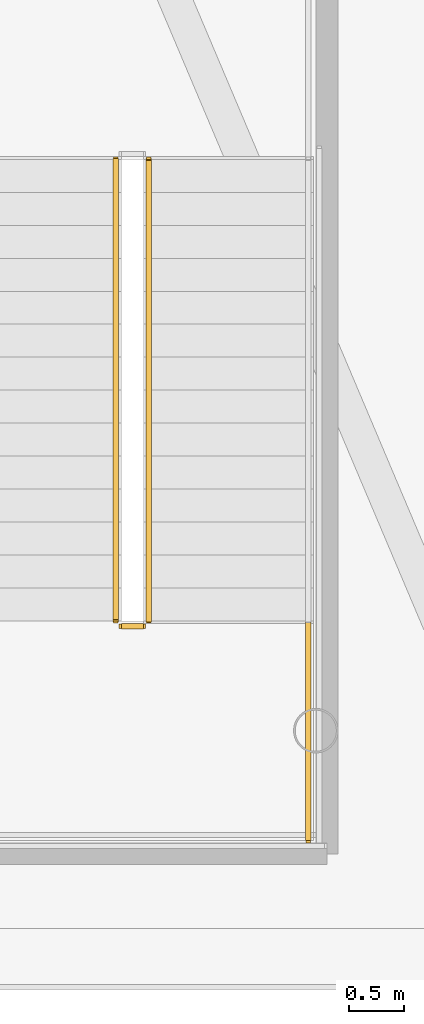
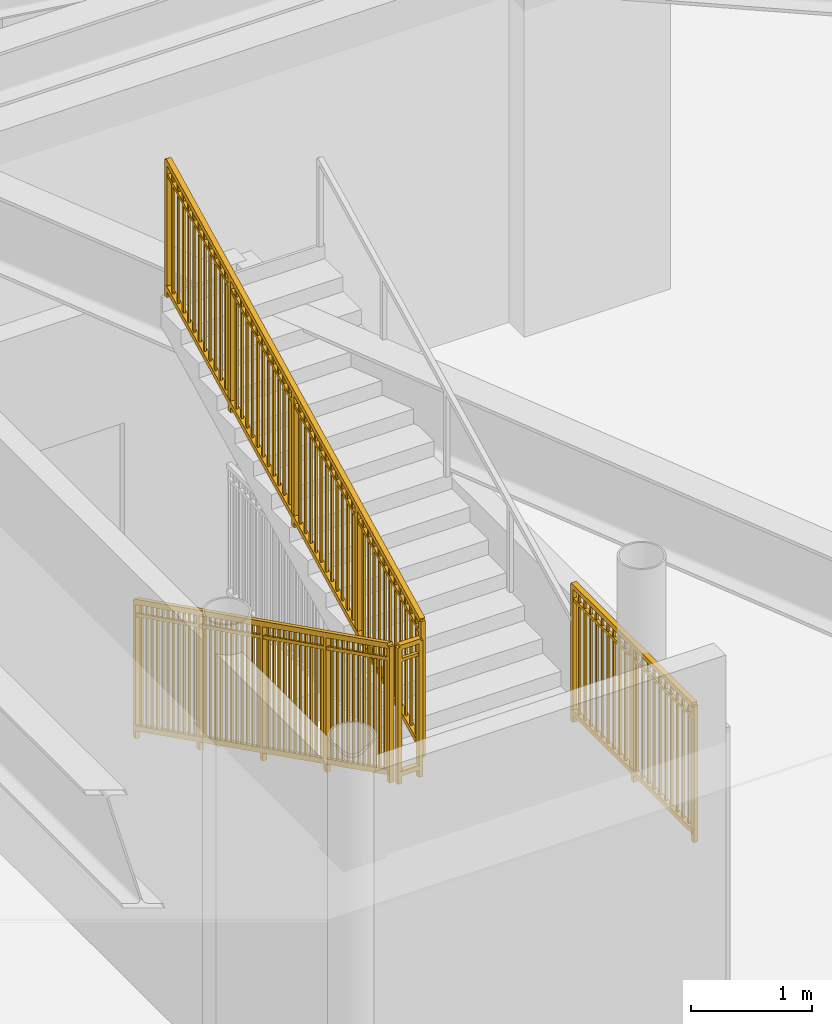
# One storey, part 14 of 21: 4 railings.
"""IFC4 building model written with IfcOpenShell, lengths in metres."""

import ifcopenshell
import ifcopenshell.guid

model = None  # the IFC model being written
_history = None  # IfcOwnerHistory: only IFC2X3 demands one
_inside = {}  # id of a spatial element -> (the spatial element, [elements in it])
_under = {}  # id of a project, library or spatial element -> (it, [spatial elements below it])
_declared = {}  # id of a project -> (the project, [libraries it declares])
_typed = {}  # id of a type object -> (the type object, [elements of that type])
_made_of = {}  # id of a material, layer set ... -> (it, [elements and type objects made of it])


def new_model(schema):
    """Start an empty IFC model of exactly this schema.

    Asked for "IFC4X3", IfcOpenShell would pick the latest addendum, in which some entities
    have other attributes; the version numbers below select the first issue.
    IFC2X3 requires an IfcOwnerHistory on every rooted entity: one is made here for all.
    """
    global model, _history
    if schema == "IFC4X3":
        model = ifcopenshell.file(schema_version=(4, 3, 0, 0))
    else:
        model = ifcopenshell.file(schema=schema)
    _inside.clear()
    _under.clear()
    _declared.clear()
    _typed.clear()
    _made_of.clear()
    _history = None
    if model.schema == "IFC2X3":
        org = make("IfcOrganization", Name="unknown")
        user = make(
            "IfcPersonAndOrganization",
            ThePerson=make("IfcPerson", FamilyName="unknown"),
            TheOrganization=org,
        )
        app = make(
            "IfcApplication",
            ApplicationDeveloper=org,
            Version="unknown",
            ApplicationFullName="unknown",
            ApplicationIdentifier="unknown",
        )
        _history = make(
            "IfcOwnerHistory",
            OwningUser=user,
            OwningApplication=app,
            ChangeAction="ADDED",
            CreationDate=0,
        )
    return model


def make(cls, **values):
    """One entity of the class cls with the attributes given. An attribute that is None is left unset."""
    return model.create_entity(
        cls, **{name: value for name, value in values.items() if value is not None}
    )


def rooted(cls, **values):
    """An entity with a GlobalId (a new one), such as an element, a storey or a relation."""
    return make(cls, GlobalId=ifcopenshell.guid.new(), OwnerHistory=_history, **values)


def si_unit(unit_type, name, prefix=None):
    """IfcSIUnit, for example si_unit("LENGTHUNIT", "METRE", prefix="MILLI")."""
    return make("IfcSIUnit", UnitType=unit_type, Prefix=prefix, Name=name)


def assignment(units):
    """IfcUnitAssignment: the units of a project."""
    return None if units is None else make("IfcUnitAssignment", Units=units)


def point(xyz):
    """IfcCartesianPoint."""
    return None if xyz is None else make("IfcCartesianPoint", Coordinates=xyz)


def direction(xyz):
    """IfcDirection."""
    return None if xyz is None else make("IfcDirection", DirectionRatios=xyz)


def frame(location, z_axis=None, x_axis=None):
    """IfcAxis2Placement3D, a coordinate frame: its origin and axes. An axis left out is left unset."""
    return make(
        "IfcAxis2Placement3D",
        Location=point(location),
        Axis=direction(z_axis),
        RefDirection=direction(x_axis),
    )


def frame_2d(location, x_axis=None):
    """IfcAxis2Placement2D, a coordinate frame in the plane: its origin and x axis."""
    return make(
        "IfcAxis2Placement2D", Location=point(location), RefDirection=direction(x_axis)
    )


def origin():
    """The frame at (0, 0, 0) with its axes left unset."""
    return frame((0.0, 0.0, 0.0))


def origin_2d():
    """The frame at (0, 0) in the plane with its x axis left unset."""
    return frame_2d((0.0, 0.0))


def place(relative_to, where):
    """IfcLocalPlacement: puts the frame where relative to a parent placement (None: the world)."""
    return make(
        "IfcLocalPlacement", PlacementRelTo=relative_to, RelativePlacement=where
    )


def context(
    kind, dimensions, precision=None, world=None, true_north=None, identifier=None
):
    """IfcGeometricRepresentationContext, for example the 3D "Model" context."""
    return make(
        "IfcGeometricRepresentationContext",
        ContextIdentifier=identifier,
        ContextType=kind,
        CoordinateSpaceDimension=dimensions,
        Precision=precision,
        WorldCoordinateSystem=world,
        TrueNorth=true_north,
    )


def subcontext(parent, identifier, kind, view, scale=None):
    """IfcGeometricRepresentationSubContext, for example "Body" below "Model"."""
    return make(
        "IfcGeometricRepresentationSubContext",
        ContextIdentifier=identifier,
        ContextType=kind,
        ParentContext=parent,
        TargetScale=scale,
        TargetView=view,
    )


def project(units=None, contexts=None):
    """IfcProject with its units and contexts."""
    return rooted(
        "IfcProject",
        Name="project",
        RepresentationContexts=contexts,
        UnitsInContext=assignment(units),
    )


def spatial(cls, under=None, at=None, **own):
    """A site, building, storey or space (cls), placed at a placement, below another one or the project."""
    s = rooted(cls, ObjectPlacement=at, **own)
    if under is not None:
        _under.setdefault(under.id(), (under, []))[1].append(s)
    return s


def profile(cls, at=None, kind="AREA", **sizes):
    """A parametric profile (cls). Its sizes go by their IFC names, for example OverallWidth=200.0."""
    return make(cls, ProfileType=kind, Position=at, **sizes)


def rectangle(**sizes):
    """IfcRectangleProfileDef."""
    return profile("IfcRectangleProfileDef", **sizes)


def extrude(swept, where, along, depth):
    """IfcExtrudedAreaSolid: the profile swept, set in the frame where, extruded along a direction by depth."""
    return make(
        "IfcExtrudedAreaSolid",
        SweptArea=swept,
        Position=where,
        ExtrudedDirection=direction(along),
        Depth=depth,
    )


def shape(context_of_items, identifier, shape_type, items):
    """IfcShapeRepresentation: the items that make up one representation, for example the "Body"."""
    return make(
        "IfcShapeRepresentation",
        ContextOfItems=context_of_items,
        RepresentationIdentifier=identifier,
        RepresentationType=shape_type,
        Items=items,
    )


def source(mapping_origin, context_of_items, identifier, shape_type, items):
    """IfcRepresentationMap: a shape defined once, which mapped items show again and again."""
    return make(
        "IfcRepresentationMap",
        MappingOrigin=mapping_origin,
        MappedRepresentation=shape(context_of_items, identifier, shape_type, items),
    )


def transform(
    local_origin,
    x_axis=None,
    y_axis=None,
    z_axis=None,
    scale=None,
    scale2=None,
    scale3=None,
    uniform=True,
):
    """IfcCartesianTransformationOperator3D, or its non-uniform kind. x_axis, y_axis, z_axis: its Axis1, 2, 3."""
    if uniform:
        return make(
            "IfcCartesianTransformationOperator3D",
            Axis1=direction(x_axis),
            Axis2=direction(y_axis),
            LocalOrigin=point(local_origin),
            Scale=scale,
            Axis3=direction(z_axis),
        )
    return make(
        "IfcCartesianTransformationOperator3DnonUniform",
        Axis1=direction(x_axis),
        Axis2=direction(y_axis),
        LocalOrigin=point(local_origin),
        Scale=scale,
        Axis3=direction(z_axis),
        Scale2=scale2,
        Scale3=scale3,
    )


def mapped(mapping_source, mapping_target):
    """IfcMappedItem: shows the shape of a source again, moved by a transform."""
    return make(
        "IfcMappedItem", MappingSource=mapping_source, MappingTarget=mapping_target
    )


def material(Name=None, Category=None):
    """IfcMaterial."""
    return make("IfcMaterial", Name=Name, Category=Category)


def made_of(thing, what):
    """Note that an element or type object is made of a material, layer set ...; save() writes the relation."""
    if what is not None:
        _made_of.setdefault(what.id(), (what, []))[1].append(thing)
    return thing


def type_object(cls, material=None, **own):
    """A type object (cls), such as IfcWallType, which elements share."""
    return made_of(rooted(cls, **own), material)


def element(
    cls,
    number,
    at=None,
    inside=None,
    cuts=None,
    type_object=None,
    material=None,
    context=None,
    identifier="Body",
    shape_type=None,
    held_by="IfcProductDefinitionShape",
    body=None,
    shapes=None,
    **own,
):
    """One element of the class cls, such as IfcWall. Its Tag is "e" and its number.

    at: its placement. inside: the storey or other place that contains it. cuts: it is an
    opening in that element (IfcRelVoidsElement). A single representation is given by context,
    identifier, shape_type and body (its items); several are given by shapes. held_by: the class
    of the entity that holds the representations. save() writes the other relations.
    """
    e = rooted(cls, Tag="e%d" % number, ObjectPlacement=at, **own)
    if body is not None:
        shapes = [shape(context, identifier, shape_type, body)]
    if shapes is not None:
        e.Representation = make(held_by, Representations=shapes)
    if inside is not None:
        _inside.setdefault(inside.id(), (inside, []))[1].append(e)
    if cuts is not None:
        rooted(
            "IfcRelVoidsElement", RelatingBuildingElement=cuts, RelatedOpeningElement=e
        )
    if type_object is not None:
        _typed.setdefault(type_object.id(), (type_object, []))[1].append(e)
    return made_of(e, material)


def aggregate(whole, parts):
    """IfcRelAggregates: a whole, such as a stair, and the parts it consists of."""
    return rooted("IfcRelAggregates", RelatingObject=whole, RelatedObjects=parts)


def save(model, path):
    """Write the relations noted so far, then the file.

    IfcRelAggregates (storeys below a building ...), IfcRelContainedInSpatialStructure (elements
    in a storey), IfcRelDefinesByType, IfcRelAssociatesMaterial and IfcRelDeclares: one each for
    every whole, place, type object, material and project.
    """
    for whole, parts in _under.values():
        aggregate(whole, parts)
    for where, things in _inside.values():
        rooted(
            "IfcRelContainedInSpatialStructure",
            RelatedElements=things,
            RelatingStructure=where,
        )
    for kind, things in _typed.values():
        rooted("IfcRelDefinesByType", RelatedObjects=things, RelatingType=kind)
    for what, things in _made_of.values():
        rooted("IfcRelAssociatesMaterial", RelatedObjects=things, RelatingMaterial=what)
    for by, libraries in _declared.values():
        rooted("IfcRelDeclares", RelatingContext=by, RelatedDefinitions=libraries)
    model.write(path)


model = new_model("IFC4")

# Units and contexts
model_context = context("Model", 3, precision=1e-05, world=origin(), true_north=direction((0.0, 1.0)))
body_context = subcontext(model_context, "Body", "Model", "MODEL_VIEW")
ifc_project = project(units=[si_unit("LENGTHUNIT", "METRE"), si_unit("AREAUNIT", "SQUARE_METRE"), si_unit("VOLUMEUNIT", "CUBIC_METRE"), si_unit("PLANEANGLEUNIT", "RADIAN"), si_unit("MASSUNIT", "GRAM", prefix="KILO")], contexts=[model_context])

# Site, building, storey
site_placement = place(None, origin())
site = spatial("IfcSite", under=ifc_project, at=site_placement, CompositionType="ELEMENT")
building_placement = place(site_placement, origin())
building = spatial("IfcBuilding", under=site, at=building_placement, Name="Linh Dai School and Residence Tower", CompositionType="ELEMENT")
storey_placement = place(building_placement, frame((0.0, 0.0, -4.5)))
storey = spatial("IfcBuildingStorey", under=building, at=storey_placement, Name="B01", CompositionType="ELEMENT", Elevation=-4.5)

# Railings
ifc_material = material(Name="Structural Steel S355JR", Category="steel")
railing_type = type_object("IfcRailingType", Name="RL-ST-GUARD-1400", PredefinedType="GUARDRAIL", material=ifc_material)
shared_shape_1 = source(origin(), body_context, "Body", "SweptSolid", [
    extrude(rectangle(XDim=0.048095703125, YDim=0.048095703125, at=origin_2d()), frame((0.0, 0.0, 1.3759765625), z_axis=(0.0, 0.894416792377, 0.447234392142), x_axis=(-1.0, 0.0, 0.0)), (0.0, 0.0, 1.0), 4.69580078125),
    extrude(rectangle(XDim=0.048095703125, YDim=0.048095703125, at=origin_2d()), frame((0.0, 0.0, 0.10009765625), z_axis=(0.0, 0.894416792377, 0.447234392142), x_axis=(-1.0, 0.0, 0.0)), (0.0, 0.0, 1.0), 4.69580078125),
    extrude(rectangle(XDim=0.030029296875, YDim=0.030029296875, at=origin_2d()), frame((0.0, 0.0, 1.239990234375), z_axis=(0.0, 0.894416792377, 0.447234392142), x_axis=(-1.0, 0.0, 0.0)), (0.0, 0.0, 1.0), 4.69580078125),
    extrude(rectangle(XDim=0.02001953125, YDim=0.02001953125, at=origin_2d()), frame((0.0, 0.08740234375, 0.143798828125)), (0.0, 0.0, 1.0), 1.251708984375),
    extrude(rectangle(XDim=0.02001953125, YDim=0.02001953125, at=origin_2d()), frame((0.0, 0.175048828125, 0.1875)), (0.0, 0.0, 1.0), 1.251708984375),
    extrude(rectangle(XDim=0.02001953125, YDim=0.02001953125, at=origin_2d()), frame((0.0, 0.262451171875, 0.2314453125)), (0.0, 0.0, 1.0), 1.251708984375),
    extrude(rectangle(XDim=0.02001953125, YDim=0.02001953125, at=origin_2d()), frame((0.0, 0.35009765625, 0.275146484375)), (0.0, 0.0, 1.0), 1.251708984375),
    extrude(rectangle(XDim=0.02001953125, YDim=0.02001953125, at=origin_2d()), frame((0.0, 0.4375, 0.31884765625)), (0.0, 0.0, 1.0), 1.251708984375),
    extrude(rectangle(XDim=0.02001953125, YDim=0.02001953125, at=origin_2d()), frame((0.0, 0.52490234375, 0.362548828125)), (0.0, 0.0, 1.0), 1.251708984375),
    extrude(rectangle(XDim=0.02001953125, YDim=0.02001953125, at=origin_2d()), frame((0.0, 0.612548828125, 0.40625)), (0.0, 0.0, 1.0), 1.251708984375),
    extrude(rectangle(XDim=0.02001953125, YDim=0.02001953125, at=origin_2d()), frame((0.0, 0.699951171875, 0.4501953125)), (0.0, 0.0, 1.0), 1.251708984375),
    extrude(rectangle(XDim=0.02001953125, YDim=0.02001953125, at=origin_2d()), frame((0.0, 0.78759765625, 0.493896484375)), (0.0, 0.0, 1.0), 1.251708984375),
    extrude(rectangle(XDim=0.02001953125, YDim=0.02001953125, at=origin_2d()), frame((0.0, 0.875, 0.53759765625)), (0.0, 0.0, 1.0), 1.251708984375),
    extrude(rectangle(XDim=0.02001953125, YDim=0.02001953125, at=origin_2d()), frame((0.0, 0.96240234375, 0.581298828125)), (0.0, 0.0, 1.0), 1.251708984375),
    extrude(rectangle(XDim=0.02001953125, YDim=0.02001953125, at=origin_2d()), frame((0.0, 1.137451171875, 0.6689453125)), (0.0, 0.0, 1.0), 1.251708984375),
    extrude(rectangle(XDim=0.02001953125, YDim=0.02001953125, at=origin_2d()), frame((0.0, 1.22509765625, 0.712646484375)), (0.0, 0.0, 1.0), 1.251708984375),
    extrude(rectangle(XDim=0.02001953125, YDim=0.02001953125, at=origin_2d()), frame((0.0, 1.3125, 0.75634765625)), (0.0, 0.0, 1.0), 1.251708984375),
    extrude(rectangle(XDim=0.02001953125, YDim=0.02001953125, at=origin_2d()), frame((0.0, 1.39990234375, 0.800048828125)), (0.0, 0.0, 1.0), 1.251708984375),
    extrude(rectangle(XDim=0.02001953125, YDim=0.02001953125, at=origin_2d()), frame((0.0, 1.487548828125, 0.843994140625)), (0.0, 0.0, 1.0), 1.251708984375),
    extrude(rectangle(XDim=0.02001953125, YDim=0.02001953125, at=origin_2d()), frame((0.0, 1.574951171875, 0.8876953125)), (0.0, 0.0, 1.0), 1.251708984375),
    extrude(rectangle(XDim=0.02001953125, YDim=0.02001953125, at=origin_2d()), frame((0.0, 1.66259765625, 0.931396484375)), (0.0, 0.0, 1.0), 1.251708984375),
    extrude(rectangle(XDim=0.02001953125, YDim=0.02001953125, at=origin_2d()), frame((0.0, 1.75, 0.97509765625)), (0.0, 0.0, 1.0), 1.251708984375),
    extrude(rectangle(XDim=0.02001953125, YDim=0.02001953125, at=origin_2d()), frame((0.0, 1.83740234375, 1.018798828125)), (0.0, 0.0, 1.0), 1.251708984375),
    extrude(rectangle(XDim=0.02001953125, YDim=0.02001953125, at=origin_2d()), frame((0.0, 1.925048828125, 1.062744140625)), (0.0, 0.0, 1.0), 1.251708984375),
    extrude(rectangle(XDim=0.02001953125, YDim=0.02001953125, at=origin_2d()), frame((0.0, 2.012451171875, 1.1064453125)), (0.0, 0.0, 1.0), 1.251708984375),
    extrude(rectangle(XDim=0.02001953125, YDim=0.02001953125, at=origin_2d()), frame((0.0, 2.1875, 1.19384765625)), (0.0, 0.0, 1.0), 1.251708984375),
    extrude(rectangle(XDim=0.02001953125, YDim=0.02001953125, at=origin_2d()), frame((0.0, 2.27490234375, 1.237548828125)), (0.0, 0.0, 1.0), 1.251708984375),
    extrude(rectangle(XDim=0.02001953125, YDim=0.02001953125, at=origin_2d()), frame((0.0, 2.362548828125, 1.281494140625)), (0.0, 0.0, 1.0), 1.251708984375),
    extrude(rectangle(XDim=0.02001953125, YDim=0.02001953125, at=origin_2d()), frame((0.0, 2.449951171875, 1.3251953125)), (0.0, 0.0, 1.0), 1.251708984375),
    extrude(rectangle(XDim=0.02001953125, YDim=0.02001953125, at=origin_2d()), frame((0.0, 2.537353515625, 1.368896484375)), (0.0, 0.0, 1.0), 1.251708984375),
    extrude(rectangle(XDim=0.02001953125, YDim=0.02001953125, at=origin_2d()), frame((0.0, 2.625, 1.41259765625)), (0.0, 0.0, 1.0), 1.251708984375),
    extrude(rectangle(XDim=0.02001953125, YDim=0.02001953125, at=origin_2d()), frame((0.0, 2.71240234375, 1.456298828125)), (0.0, 0.0, 1.0), 1.251708984375),
    extrude(rectangle(XDim=0.02001953125, YDim=0.02001953125, at=origin_2d()), frame((0.0, 2.800048828125, 1.500244140625)), (0.0, 0.0, 1.0), 1.251708984375),
    extrude(rectangle(XDim=0.02001953125, YDim=0.02001953125, at=origin_2d()), frame((0.0, 2.887451171875, 1.5439453125)), (0.0, 0.0, 1.0), 1.251708984375),
    extrude(rectangle(XDim=0.02001953125, YDim=0.02001953125, at=origin_2d()), frame((0.0, 2.974853515625, 1.587646484375)), (0.0, 0.0, 1.0), 1.251708984375),
    extrude(rectangle(XDim=0.02001953125, YDim=0.02001953125, at=origin_2d()), frame((0.0, 3.0625, 1.63134765625)), (0.0, 0.0, 1.0), 1.251708984375),
    extrude(rectangle(XDim=0.02001953125, YDim=0.02001953125, at=origin_2d()), frame((0.0, 3.237548828125, 1.718994140625)), (0.0, 0.0, 1.0), 1.251708984375),
    extrude(rectangle(XDim=0.02001953125, YDim=0.02001953125, at=origin_2d()), frame((0.0, 3.324951171875, 1.7626953125)), (0.0, 0.0, 1.0), 1.251708984375),
    extrude(rectangle(XDim=0.02001953125, YDim=0.02001953125, at=origin_2d()), frame((0.0, 3.412353515625, 1.806396484375)), (0.0, 0.0, 1.0), 1.251708984375),
    extrude(rectangle(XDim=0.02001953125, YDim=0.02001953125, at=origin_2d()), frame((0.0, 3.5, 1.85009765625)), (0.0, 0.0, 1.0), 1.251708984375),
    extrude(rectangle(XDim=0.02001953125, YDim=0.02001953125, at=origin_2d()), frame((0.0, 3.58740234375, 1.89404296875)), (0.0, 0.0, 1.0), 1.251708984375),
    extrude(rectangle(XDim=0.02001953125, YDim=0.02001953125, at=origin_2d()), frame((0.0, 3.675048828125, 1.937744140625)), (0.0, 0.0, 1.0), 1.251708984375),
    extrude(rectangle(XDim=0.02001953125, YDim=0.02001953125, at=origin_2d()), frame((0.0, 3.762451171875, 1.9814453125)), (0.0, 0.0, 1.0), 1.251708984375),
    extrude(rectangle(XDim=0.02001953125, YDim=0.02001953125, at=origin_2d()), frame((0.0, 3.849853515625, 2.025146484375)), (0.0, 0.0, 1.0), 1.251708984375),
    extrude(rectangle(XDim=0.02001953125, YDim=0.02001953125, at=origin_2d()), frame((0.0, 3.9375, 2.06884765625)), (0.0, 0.0, 1.0), 1.251708984375),
    extrude(rectangle(XDim=0.02001953125, YDim=0.02001953125, at=origin_2d()), frame((0.0, 4.02490234375, 2.11279296875)), (0.0, 0.0, 1.0), 1.251708984375),
    extrude(rectangle(XDim=0.02001953125, YDim=0.02001953125, at=origin_2d()), frame((0.0, 4.112548828125, 2.156494140625)), (0.0, 0.0, 1.0), 1.251708984375),
    extrude(rectangle(XDim=0.0419921875, YDim=0.0419921875, at=origin_2d()), origin(), (0.0, 0.0, 1.0), 1.3759765625),
    extrude(rectangle(XDim=0.0419921875, YDim=0.0419921875, at=origin_2d()), frame((0.0, 1.050048828125, 0.52490234375)), (0.0, 0.0, 1.0), 1.3759765625),
    extrude(rectangle(XDim=0.0419921875, YDim=0.0419921875, at=origin_2d()), frame((0.0, 2.10009765625, 1.050048828125)), (0.0, 0.0, 1.0), 1.3759765625),
    extrude(rectangle(XDim=0.0419921875, YDim=0.0419921875, at=origin_2d()), frame((0.0, 3.14990234375, 1.5751953125)), (0.0, 0.0, 1.0), 1.3759765625),
    extrude(rectangle(XDim=0.0419921875, YDim=0.0419921875, at=origin_2d()), frame((0.0, 4.199951171875, 2.10009765625)), (0.0, 0.0, 1.0), 1.3759765625),
])
railing_1_placement = place(storey_placement, frame((39.800048828125, 11.800048828125, 2.39990234375)))
element("IfcRailing", 1, at=railing_1_placement, inside=storey, type_object=railing_type, Name="B01 STB1 stair guard 6", PredefinedType="GUARDRAIL", context=body_context, shape_type="MappedRepresentation", body=[
    mapped(shared_shape_1, transform((0.0, 0.0, 0.0), x_axis=(1.0, 0.0, 0.0), y_axis=(0.0, 1.0, 0.0), z_axis=(0.0, 0.0, 1.0), scale=1.0)),
])
shared_shape_2 = source(origin(), body_context, "Body", "SweptSolid", [
    extrude(rectangle(XDim=0.048095703125, YDim=0.048095703125, at=origin_2d()), frame((0.0, 0.0, 1.3759765625), z_axis=(0.0, -0.894416792377, 0.447234392142), x_axis=(1.0, 0.0, 0.0)), (0.0, 0.0, 1.0), 4.69580078125),
    extrude(rectangle(XDim=0.048095703125, YDim=0.048095703125, at=origin_2d()), frame((0.0, 0.0, 0.10009765625), z_axis=(0.0, -0.894416792377, 0.447234392142), x_axis=(1.0, 0.0, 0.0)), (0.0, 0.0, 1.0), 4.69580078125),
    extrude(rectangle(XDim=0.030029296875, YDim=0.030029296875, at=origin_2d()), frame((0.0, 0.0, 1.239990234375), z_axis=(0.0, -0.894416792377, 0.447234392142), x_axis=(1.0, 0.0, 0.0)), (0.0, 0.0, 1.0), 4.69580078125),
    extrude(rectangle(XDim=0.02001953125, YDim=0.02001953125, at=origin_2d()), frame((0.0, -0.08740234375, 0.143798828125)), (0.0, 0.0, 1.0), 1.251708984375),
    extrude(rectangle(XDim=0.02001953125, YDim=0.02001953125, at=origin_2d()), frame((0.0, -0.175048828125, 0.1875)), (0.0, 0.0, 1.0), 1.251708984375),
    extrude(rectangle(XDim=0.02001953125, YDim=0.02001953125, at=origin_2d()), frame((0.0, -0.262451171875, 0.2314453125)), (0.0, 0.0, 1.0), 1.251708984375),
    extrude(rectangle(XDim=0.02001953125, YDim=0.02001953125, at=origin_2d()), frame((0.0, -0.35009765625, 0.275146484375)), (0.0, 0.0, 1.0), 1.251708984375),
    extrude(rectangle(XDim=0.02001953125, YDim=0.02001953125, at=origin_2d()), frame((0.0, -0.4375, 0.31884765625)), (0.0, 0.0, 1.0), 1.251708984375),
    extrude(rectangle(XDim=0.02001953125, YDim=0.02001953125, at=origin_2d()), frame((0.0, -0.52490234375, 0.362548828125)), (0.0, 0.0, 1.0), 1.251708984375),
    extrude(rectangle(XDim=0.02001953125, YDim=0.02001953125, at=origin_2d()), frame((0.0, -0.612548828125, 0.40625)), (0.0, 0.0, 1.0), 1.251708984375),
    extrude(rectangle(XDim=0.02001953125, YDim=0.02001953125, at=origin_2d()), frame((0.0, -0.699951171875, 0.4501953125)), (0.0, 0.0, 1.0), 1.251708984375),
    extrude(rectangle(XDim=0.02001953125, YDim=0.02001953125, at=origin_2d()), frame((0.0, -0.78759765625, 0.493896484375)), (0.0, 0.0, 1.0), 1.251708984375),
    extrude(rectangle(XDim=0.02001953125, YDim=0.02001953125, at=origin_2d()), frame((0.0, -0.875, 0.53759765625)), (0.0, 0.0, 1.0), 1.251708984375),
    extrude(rectangle(XDim=0.02001953125, YDim=0.02001953125, at=origin_2d()), frame((0.0, -0.96240234375, 0.581298828125)), (0.0, 0.0, 1.0), 1.251708984375),
    extrude(rectangle(XDim=0.02001953125, YDim=0.02001953125, at=origin_2d()), frame((0.0, -1.137451171875, 0.6689453125)), (0.0, 0.0, 1.0), 1.251708984375),
    extrude(rectangle(XDim=0.02001953125, YDim=0.02001953125, at=origin_2d()), frame((0.0, -1.22509765625, 0.712646484375)), (0.0, 0.0, 1.0), 1.251708984375),
    extrude(rectangle(XDim=0.02001953125, YDim=0.02001953125, at=origin_2d()), frame((0.0, -1.3125, 0.75634765625)), (0.0, 0.0, 1.0), 1.251708984375),
    extrude(rectangle(XDim=0.02001953125, YDim=0.02001953125, at=origin_2d()), frame((0.0, -1.39990234375, 0.800048828125)), (0.0, 0.0, 1.0), 1.251708984375),
    extrude(rectangle(XDim=0.02001953125, YDim=0.02001953125, at=origin_2d()), frame((0.0, -1.487548828125, 0.843994140625)), (0.0, 0.0, 1.0), 1.251708984375),
    extrude(rectangle(XDim=0.02001953125, YDim=0.02001953125, at=origin_2d()), frame((0.0, -1.574951171875, 0.8876953125)), (0.0, 0.0, 1.0), 1.251708984375),
    extrude(rectangle(XDim=0.02001953125, YDim=0.02001953125, at=origin_2d()), frame((0.0, -1.66259765625, 0.931396484375)), (0.0, 0.0, 1.0), 1.251708984375),
    extrude(rectangle(XDim=0.02001953125, YDim=0.02001953125, at=origin_2d()), frame((0.0, -1.75, 0.97509765625)), (0.0, 0.0, 1.0), 1.251708984375),
    extrude(rectangle(XDim=0.02001953125, YDim=0.02001953125, at=origin_2d()), frame((0.0, -1.83740234375, 1.018798828125)), (0.0, 0.0, 1.0), 1.251708984375),
    extrude(rectangle(XDim=0.02001953125, YDim=0.02001953125, at=origin_2d()), frame((0.0, -1.925048828125, 1.062744140625)), (0.0, 0.0, 1.0), 1.251708984375),
    extrude(rectangle(XDim=0.02001953125, YDim=0.02001953125, at=origin_2d()), frame((0.0, -2.012451171875, 1.1064453125)), (0.0, 0.0, 1.0), 1.251708984375),
    extrude(rectangle(XDim=0.02001953125, YDim=0.02001953125, at=origin_2d()), frame((0.0, -2.1875, 1.19384765625)), (0.0, 0.0, 1.0), 1.251708984375),
    extrude(rectangle(XDim=0.02001953125, YDim=0.02001953125, at=origin_2d()), frame((0.0, -2.27490234375, 1.237548828125)), (0.0, 0.0, 1.0), 1.251708984375),
    extrude(rectangle(XDim=0.02001953125, YDim=0.02001953125, at=origin_2d()), frame((0.0, -2.362548828125, 1.281494140625)), (0.0, 0.0, 1.0), 1.251708984375),
    extrude(rectangle(XDim=0.02001953125, YDim=0.02001953125, at=origin_2d()), frame((0.0, -2.449951171875, 1.3251953125)), (0.0, 0.0, 1.0), 1.251708984375),
    extrude(rectangle(XDim=0.02001953125, YDim=0.02001953125, at=origin_2d()), frame((0.0, -2.537353515625, 1.368896484375)), (0.0, 0.0, 1.0), 1.251708984375),
    extrude(rectangle(XDim=0.02001953125, YDim=0.02001953125, at=origin_2d()), frame((0.0, -2.625, 1.41259765625)), (0.0, 0.0, 1.0), 1.251708984375),
    extrude(rectangle(XDim=0.02001953125, YDim=0.02001953125, at=origin_2d()), frame((0.0, -2.71240234375, 1.456298828125)), (0.0, 0.0, 1.0), 1.251708984375),
    extrude(rectangle(XDim=0.02001953125, YDim=0.02001953125, at=origin_2d()), frame((0.0, -2.800048828125, 1.500244140625)), (0.0, 0.0, 1.0), 1.251708984375),
    extrude(rectangle(XDim=0.02001953125, YDim=0.02001953125, at=origin_2d()), frame((0.0, -2.887451171875, 1.5439453125)), (0.0, 0.0, 1.0), 1.251708984375),
    extrude(rectangle(XDim=0.02001953125, YDim=0.02001953125, at=origin_2d()), frame((0.0, -2.974853515625, 1.587646484375)), (0.0, 0.0, 1.0), 1.251708984375),
    extrude(rectangle(XDim=0.02001953125, YDim=0.02001953125, at=origin_2d()), frame((0.0, -3.0625, 1.63134765625)), (0.0, 0.0, 1.0), 1.251708984375),
    extrude(rectangle(XDim=0.02001953125, YDim=0.02001953125, at=origin_2d()), frame((0.0, -3.237548828125, 1.718994140625)), (0.0, 0.0, 1.0), 1.251708984375),
    extrude(rectangle(XDim=0.02001953125, YDim=0.02001953125, at=origin_2d()), frame((0.0, -3.324951171875, 1.7626953125)), (0.0, 0.0, 1.0), 1.251708984375),
    extrude(rectangle(XDim=0.02001953125, YDim=0.02001953125, at=origin_2d()), frame((0.0, -3.412353515625, 1.806396484375)), (0.0, 0.0, 1.0), 1.251708984375),
    extrude(rectangle(XDim=0.02001953125, YDim=0.02001953125, at=origin_2d()), frame((0.0, -3.5, 1.85009765625)), (0.0, 0.0, 1.0), 1.251708984375),
    extrude(rectangle(XDim=0.02001953125, YDim=0.02001953125, at=origin_2d()), frame((0.0, -3.58740234375, 1.89404296875)), (0.0, 0.0, 1.0), 1.251708984375),
    extrude(rectangle(XDim=0.02001953125, YDim=0.02001953125, at=origin_2d()), frame((0.0, -3.675048828125, 1.937744140625)), (0.0, 0.0, 1.0), 1.251708984375),
    extrude(rectangle(XDim=0.02001953125, YDim=0.02001953125, at=origin_2d()), frame((0.0, -3.762451171875, 1.9814453125)), (0.0, 0.0, 1.0), 1.251708984375),
    extrude(rectangle(XDim=0.02001953125, YDim=0.02001953125, at=origin_2d()), frame((0.0, -3.849853515625, 2.025146484375)), (0.0, 0.0, 1.0), 1.251708984375),
    extrude(rectangle(XDim=0.02001953125, YDim=0.02001953125, at=origin_2d()), frame((0.0, -3.9375, 2.06884765625)), (0.0, 0.0, 1.0), 1.251708984375),
    extrude(rectangle(XDim=0.02001953125, YDim=0.02001953125, at=origin_2d()), frame((0.0, -4.02490234375, 2.11279296875)), (0.0, 0.0, 1.0), 1.251708984375),
    extrude(rectangle(XDim=0.02001953125, YDim=0.02001953125, at=origin_2d()), frame((0.0, -4.112548828125, 2.156494140625)), (0.0, 0.0, 1.0), 1.251708984375),
    extrude(rectangle(XDim=0.0419921875, YDim=0.0419921875, at=origin_2d()), origin(), (0.0, 0.0, 1.0), 1.3759765625),
    extrude(rectangle(XDim=0.0419921875, YDim=0.0419921875, at=origin_2d()), frame((0.0, -1.050048828125, 0.52490234375)), (0.0, 0.0, 1.0), 1.3759765625),
    extrude(rectangle(XDim=0.0419921875, YDim=0.0419921875, at=origin_2d()), frame((0.0, -2.10009765625, 1.050048828125)), (0.0, 0.0, 1.0), 1.3759765625),
    extrude(rectangle(XDim=0.0419921875, YDim=0.0419921875, at=origin_2d()), frame((0.0, -3.14990234375, 1.5751953125)), (0.0, 0.0, 1.0), 1.3759765625),
    extrude(rectangle(XDim=0.0419921875, YDim=0.0419921875, at=origin_2d()), frame((0.0, -4.199951171875, 2.10009765625)), (0.0, 0.0, 1.0), 1.3759765625),
])
railing_2_placement = place(storey_placement, frame((39.5, 16.0, 0.14990234375)))
element("IfcRailing", 2, at=railing_2_placement, inside=storey, type_object=railing_type, Name="B01 STB1 stair guard 1", PredefinedType="GUARDRAIL", context=body_context, shape_type="MappedRepresentation", body=[
    mapped(shared_shape_2, transform((0.0, 0.0, 0.0), x_axis=(1.0, 0.0, 0.0), y_axis=(0.0, 1.0, 0.0), z_axis=(0.0, 0.0, 1.0), scale=1.0)),
])
shared_shape_3 = source(origin(), body_context, "Body", "SweptSolid", [
    extrude(rectangle(XDim=0.048095703125, YDim=0.048095703125, at=origin_2d()), frame((0.0, 0.0, 1.3759765625), z_axis=(1.0, 0.0, 0.0), x_axis=(0.0, 1.0, 0.0)), (0.0, 0.0, 1.0), 0.199951171875),
    extrude(rectangle(XDim=0.048095703125, YDim=0.048095703125, at=origin_2d()), frame((0.0, 0.0, 0.10009765625), z_axis=(1.0, 0.0, 0.0), x_axis=(0.0, 1.0, 0.0)), (0.0, 0.0, 1.0), 0.199951171875),
    extrude(rectangle(XDim=0.030029296875, YDim=0.030029296875, at=origin_2d()), frame((0.0, 0.0, 1.239990234375), z_axis=(1.0, 0.0, 0.0), x_axis=(0.0, 1.0, 0.0)), (0.0, 0.0, 1.0), 0.199951171875),
    extrude(rectangle(XDim=0.0419921875, YDim=0.0419921875, at=origin_2d()), origin(), (0.0, 0.0, 1.0), 1.3759765625),
    extrude(rectangle(XDim=0.0419921875, YDim=0.0419921875, at=origin_2d()), frame((0.199951171875, 0.0, 0.0)), (0.0, 0.0, 1.0), 1.3759765625),
])
railing_3_placement = place(storey_placement, frame((39.550048828125, 11.75, 2.25)))
element("IfcRailing", 3, at=railing_3_placement, inside=storey, type_object=railing_type, Name="B01 STB1 stair guard 2", PredefinedType="GUARDRAIL", context=body_context, shape_type="MappedRepresentation", body=[
    mapped(shared_shape_3, transform((0.0, 0.0, 0.0), x_axis=(1.0, 0.0, 0.0), y_axis=(0.0, 1.0, 0.0), z_axis=(0.0, 0.0, 1.0), scale=1.0)),
])
shared_shape_4 = source(origin(), body_context, "Body", "SweptSolid", [
    extrude(rectangle(XDim=0.048095703125, YDim=0.048095703125, at=origin_2d()), frame((0.0, 0.0, 1.3759765625), z_axis=(0.0, -1.0, 0.0), x_axis=(1.0, 0.0, 0.0)), (0.0, 0.0, 1.0), 2.0),
    extrude(rectangle(XDim=0.048095703125, YDim=0.048095703125, at=origin_2d()), frame((0.0, 0.0, 0.10009765625), z_axis=(0.0, -1.0, 0.0), x_axis=(1.0, 0.0, 0.0)), (0.0, 0.0, 1.0), 2.0),
    extrude(rectangle(XDim=0.030029296875, YDim=0.030029296875, at=origin_2d()), frame((0.0, 0.0, 1.239990234375), z_axis=(0.0, -1.0, 0.0), x_axis=(1.0, 0.0, 0.0)), (0.0, 0.0, 1.0), 2.0),
    extrude(rectangle(XDim=0.02001953125, YDim=0.02001953125, at=origin_2d()), frame((0.0, -0.09521484375, 0.10009765625)), (0.0, 0.0, 1.0), 1.251708984375),
    extrude(rectangle(XDim=0.02001953125, YDim=0.02001953125, at=origin_2d()), frame((0.0, -0.1904296875, 0.10009765625)), (0.0, 0.0, 1.0), 1.251708984375),
    extrude(rectangle(XDim=0.02001953125, YDim=0.02001953125, at=origin_2d()), frame((0.0, -0.28564453125, 0.10009765625)), (0.0, 0.0, 1.0), 1.251708984375),
    extrude(rectangle(XDim=0.02001953125, YDim=0.02001953125, at=origin_2d()), frame((0.0, -0.380859375, 0.10009765625)), (0.0, 0.0, 1.0), 1.251708984375),
    extrude(rectangle(XDim=0.02001953125, YDim=0.02001953125, at=origin_2d()), frame((0.0, -0.47607421875, 0.10009765625)), (0.0, 0.0, 1.0), 1.251708984375),
    extrude(rectangle(XDim=0.02001953125, YDim=0.02001953125, at=origin_2d()), frame((0.0, -0.571533203125, 0.10009765625)), (0.0, 0.0, 1.0), 1.251708984375),
    extrude(rectangle(XDim=0.02001953125, YDim=0.02001953125, at=origin_2d()), frame((0.0, -0.666748046875, 0.10009765625)), (0.0, 0.0, 1.0), 1.251708984375),
    extrude(rectangle(XDim=0.02001953125, YDim=0.02001953125, at=origin_2d()), frame((0.0, -0.761962890625, 0.10009765625)), (0.0, 0.0, 1.0), 1.251708984375),
    extrude(rectangle(XDim=0.02001953125, YDim=0.02001953125, at=origin_2d()), frame((0.0, -0.857177734375, 0.10009765625)), (0.0, 0.0, 1.0), 1.251708984375),
    extrude(rectangle(XDim=0.02001953125, YDim=0.02001953125, at=origin_2d()), frame((0.0, -0.952392578125, 0.10009765625)), (0.0, 0.0, 1.0), 1.251708984375),
    extrude(rectangle(XDim=0.02001953125, YDim=0.02001953125, at=origin_2d()), frame((0.0, -1.047607421875, 0.10009765625)), (0.0, 0.0, 1.0), 1.251708984375),
    extrude(rectangle(XDim=0.02001953125, YDim=0.02001953125, at=origin_2d()), frame((0.0, -1.142822265625, 0.10009765625)), (0.0, 0.0, 1.0), 1.251708984375),
    extrude(rectangle(XDim=0.02001953125, YDim=0.02001953125, at=origin_2d()), frame((0.0, -1.238037109375, 0.10009765625)), (0.0, 0.0, 1.0), 1.251708984375),
    extrude(rectangle(XDim=0.02001953125, YDim=0.02001953125, at=origin_2d()), frame((0.0, -1.333251953125, 0.10009765625)), (0.0, 0.0, 1.0), 1.251708984375),
    extrude(rectangle(XDim=0.02001953125, YDim=0.02001953125, at=origin_2d()), frame((0.0, -1.428466796875, 0.10009765625)), (0.0, 0.0, 1.0), 1.251708984375),
    extrude(rectangle(XDim=0.02001953125, YDim=0.02001953125, at=origin_2d()), frame((0.0, -1.52392578125, 0.10009765625)), (0.0, 0.0, 1.0), 1.251708984375),
    extrude(rectangle(XDim=0.02001953125, YDim=0.02001953125, at=origin_2d()), frame((0.0, -1.619140625, 0.10009765625)), (0.0, 0.0, 1.0), 1.251708984375),
    extrude(rectangle(XDim=0.02001953125, YDim=0.02001953125, at=origin_2d()), frame((0.0, -1.71435546875, 0.10009765625)), (0.0, 0.0, 1.0), 1.251708984375),
    extrude(rectangle(XDim=0.02001953125, YDim=0.02001953125, at=origin_2d()), frame((0.0, -1.8095703125, 0.10009765625)), (0.0, 0.0, 1.0), 1.251708984375),
    extrude(rectangle(XDim=0.02001953125, YDim=0.02001953125, at=origin_2d()), frame((0.0, -1.90478515625, 0.10009765625)), (0.0, 0.0, 1.0), 1.251708984375),
    extrude(rectangle(XDim=0.0419921875, YDim=0.0419921875, at=origin_2d()), origin(), (0.0, 0.0, 1.0), 1.3759765625),
    extrude(rectangle(XDim=0.0419921875, YDim=0.0419921875, at=origin_2d()), frame((0.0, -1.0, 0.0)), (0.0, 0.0, 1.0), 1.3759765625),
    extrude(rectangle(XDim=0.0419921875, YDim=0.0419921875, at=origin_2d()), frame((0.0, -2.0, 0.0)), (0.0, 0.0, 1.0), 1.3759765625),
])
railing_4_placement = place(storey_placement, frame((41.25, 11.800048828125, 2.25)))
element("IfcRailing", 4, at=railing_4_placement, inside=storey, type_object=railing_type, Name="B01 STB1 stair guard 4", PredefinedType="GUARDRAIL", context=body_context, shape_type="MappedRepresentation", body=[
    mapped(shared_shape_4, transform((0.0, 0.0, 0.0), x_axis=(1.0, 0.0, 0.0), y_axis=(0.0, 1.0, 0.0), z_axis=(0.0, 0.0, 1.0), scale=1.0)),
])

save(model, "model.ifc")
